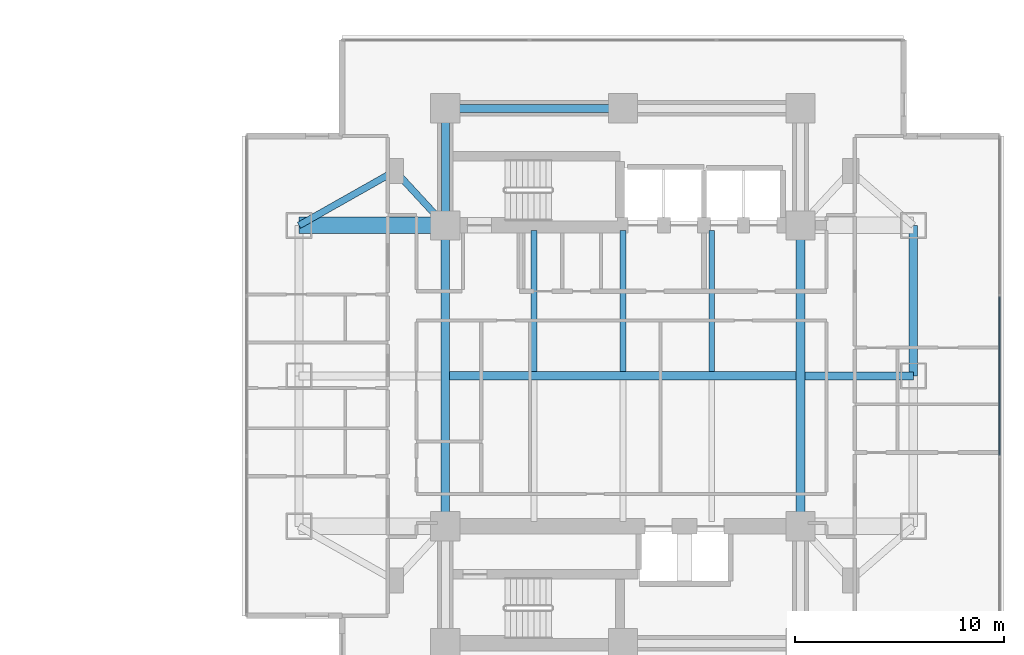
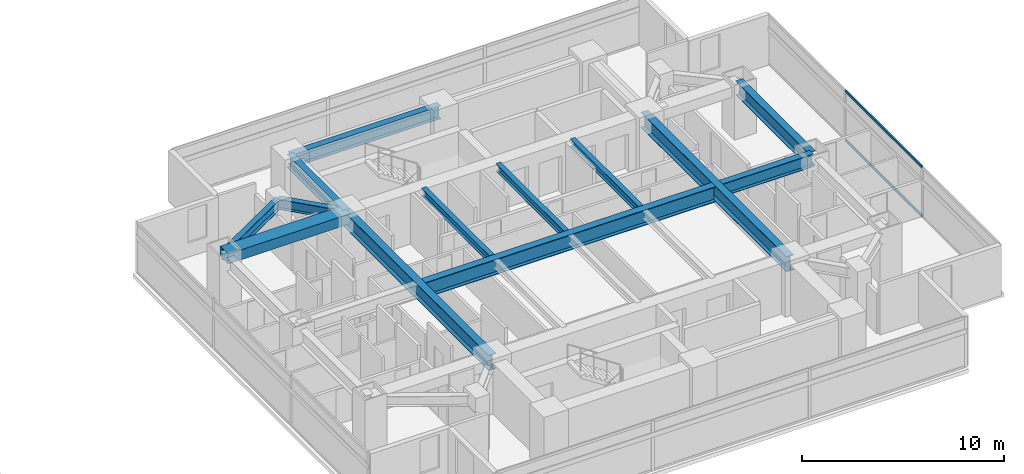
# One storey, part 9 of 26: 13 beams, 2 members, 1 element without a shape of its own.
"""IFC4 building model written with IfcOpenShell, lengths in metres."""

from ifc_helpers import new_model, si_unit, direction, frame, origin, origin_2d, place, context, subcontext, project, spatial, rectangle, i_section, extrude, material, material_profile, profile_set, type_object, element, aggregate, save


model = new_model("IFC4")

# Units and contexts
model_context = context("Model", 3, precision=1e-05, world=origin(), true_north=direction((0.0, 1.0)))
body_context = subcontext(model_context, "Body", "Model", "MODEL_VIEW")
ifc_project = project(units=[si_unit("LENGTHUNIT", "METRE"), si_unit("AREAUNIT", "SQUARE_METRE"), si_unit("VOLUMEUNIT", "CUBIC_METRE"), si_unit("PLANEANGLEUNIT", "RADIAN"), si_unit("MASSUNIT", "GRAM", prefix="KILO")], contexts=[model_context])

# Site, building, storey
site_placement = place(None, origin())
site = spatial("IfcSite", under=ifc_project, at=site_placement, CompositionType="ELEMENT")
building_placement = place(site_placement, origin())
building = spatial("IfcBuilding", under=site, at=building_placement, Name="Mirazonda Arch Towers", CompositionType="ELEMENT")
storey_placement = place(building_placement, frame((0.0, 0.0, 25.699951171875)))
storey = spatial("IfcBuildingStorey", under=building, at=storey_placement, Name="L06", CompositionType="ELEMENT", Elevation=25.699951171875)

# Beams
ifc_material_1 = material(Name="Steel ASTM A992 Grade 50", Category="steel")
ifc_material_profile_1 = material_profile(ifc_material_1, i_section(OverallWidth=0.39990234375, OverallDepth=0.85595703125, WebThickness=0.018310546875, FlangeThickness=0.029296875, at=origin_2d()), Name="W33X201")
ifc_profile_set_1 = profile_set([ifc_material_profile_1], Name="Steel ASTM A992 Grade 50")
beam_type_1 = type_object("IfcBeamType", Name="BM-EXT-W33X201", PredefinedType="USERDEFINED", material=ifc_profile_set_1)
beam_1_placement = place(storey_placement, frame((90.39990234375, 28.0, 2.632080078125), z_axis=(0.0, 1.0, 0.0), x_axis=(-1.0, 0.0, 0.0)))
element("IfcBeam", 1, at=beam_1_placement, inside=storey, type_object=beam_type_1, Name="L06 Floor Beam BM-T2-L06-NS-E-28", ObjectType="GIRDER", PredefinedType="USERDEFINED", context=body_context, shape_type="SweptSolid", body=[
    extrude(i_section(OverallWidth=0.39990234375, OverallDepth=0.85595703125, WebThickness=0.018310546875, FlangeThickness=0.029296875, at=origin_2d()), origin(), (0.0, 0.0, 1.0), 7.199951171875),
])
ifc_material_profile_2 = material_profile(ifc_material_1, i_section(OverallWidth=0.280029296875, OverallDepth=0.462890625, WebThickness=0.0107421875, FlangeThickness=0.017333984375, at=origin_2d()), Name="W18X76")
ifc_profile_set_2 = profile_set([ifc_material_profile_2], Name="Steel ASTM A992 Grade 50")
beam_type_2 = type_object("IfcBeamType", Name="BM-INT-W18X76", PredefinedType="JOIST", material=ifc_profile_set_2)
for number, where, z_axis, x_axis, name in (
    (2, (72.25, 28.205078125, 2.82861328125), (0.0, 1.0, 0.0), (-1.0, 0.0, 0.0), "L06 Floor Beam BM-T2-L06-J-722-28"),
    (3, (76.5, 28.205078125, 2.82861328125), (0.0, 1.0, 0.0), (-1.0, 0.0, 0.0), "L06 Floor Beam BM-T2-L06-J-765-28"),
    (4, (80.75, 28.205078125, 2.82861328125), (0.0, 1.0, 0.0), (-1.0, 0.0, 0.0), "L06 Floor Beam BM-T2-L06-J-807-28"),
):
    element("IfcBeam", number, at=place(storey_placement, frame(where, z_axis=z_axis, x_axis=x_axis)), inside=storey, type_object=beam_type_2, Name=name, PredefinedType="JOIST", context=body_context, shape_type="SweptSolid", body=[
        extrude(i_section(OverallWidth=0.280029296875, OverallDepth=0.462890625, WebThickness=0.0107421875, FlangeThickness=0.017333984375, at=origin_2d()), origin(), (0.0, 0.0, 1.0), 6.7548828125),
    ])
ifc_material_profile_3 = material_profile(ifc_material_1, i_section(OverallWidth=0.324951171875, OverallDepth=0.615966796875, WebThickness=0.013916015625, FlangeThickness=0.021484375, at=origin_2d()), Name="W24X117")
ifc_profile_set_3 = profile_set([ifc_material_profile_3], Name="Steel ASTM A992 Grade 50")
beam_type_3 = type_object("IfcBeamType", Name="BM-INT-W24X117", PredefinedType="BEAM", material=ifc_profile_set_3)
beam_2_placement = place(storey_placement, frame((65.60009765625, 37.800048828125, 2.751953125), z_axis=(0.678251444854, -0.734829897019, 0.0), x_axis=(0.734829897019, 0.678251444854, 0.0)))
element("IfcBeam", 5, at=beam_2_placement, inside=storey, type_object=beam_type_3, Name="L06 Floor Beam BM-T2-L06-PL-NW1", PredefinedType="BEAM", context=body_context, shape_type="SweptSolid", body=[
    extrude(i_section(OverallWidth=0.324951171875, OverallDepth=0.615966796875, WebThickness=0.013916015625, FlangeThickness=0.021484375, at=origin_2d()), origin(), (0.0, 0.0, 1.0), 3.538330078125),
])
beam_3_placement = place(storey_placement, frame((65.60009765625, 37.800048828125, 2.751953125), z_axis=(-0.870559396632, -0.492063346467, 0.0), x_axis=(0.492063346467, -0.870559396632, 0.0)))
element("IfcBeam", 6, at=beam_3_placement, inside=storey, type_object=beam_type_3, Name="L06 Floor Beam BM-T2-L06-PL-NW2", PredefinedType="BEAM", context=body_context, shape_type="SweptSolid", body=[
    extrude(i_section(OverallWidth=0.324951171875, OverallDepth=0.615966796875, WebThickness=0.013916015625, FlangeThickness=0.021484375, at=origin_2d()), origin(), (0.0, 0.0, 1.0), 5.2841796875),
])
ifc_material_profile_4 = material_profile(ifc_material_1, i_section(OverallWidth=0.381103515625, OverallDepth=0.77294921875, WebThickness=0.0166015625, FlangeThickness=0.027099609375, at=origin_2d()), Name="W30X173")
ifc_profile_set_4 = profile_set([ifc_material_profile_4], Name="Steel ASTM A992 Grade 50")
beam_type_4 = type_object("IfcBeamType", Name="BM-INT-W30X173", PredefinedType="USERDEFINED", material=ifc_profile_set_4)
beam_4_placement = place(storey_placement, frame((68.0, 40.800048828125, 2.673583984375), z_axis=(1.0, 0.0, 0.0), x_axis=(0.0, 1.0, 0.0)))
element("IfcBeam", 7, at=beam_4_placement, inside=storey, type_object=beam_type_4, Name="L06 Floor Beam BM-T2-L06-CN1", ObjectType="GIRDER", PredefinedType="USERDEFINED", context=body_context, shape_type="SweptSolid", body=[
    extrude(i_section(OverallWidth=0.381103515625, OverallDepth=0.77294921875, WebThickness=0.0166015625, FlangeThickness=0.027099609375, at=origin_2d()), origin(), (0.0, 0.0, 1.0), 8.5),
])
beam_5_placement = place(storey_placement, frame((68.0, 35.199951171875, 2.673583984375), z_axis=(0.0, 1.0, 0.0), x_axis=(-1.0, 0.0, 0.0)))
element("IfcBeam", 8, at=beam_5_placement, inside=storey, type_object=beam_type_4, Name="L06 Floor Beam BM-T2-L06-CNW", ObjectType="GIRDER", PredefinedType="USERDEFINED", context=body_context, shape_type="SweptSolid", body=[
    extrude(i_section(OverallWidth=0.381103515625, OverallDepth=0.77294921875, WebThickness=0.0166015625, FlangeThickness=0.027099609375, at=origin_2d()), origin(), (0.0, 0.0, 1.0), 5.60009765625),
])
beam_6_placement = place(storey_placement, frame((85.208984375, 28.0, 2.673583984375), z_axis=(1.0, 0.0, 0.0), x_axis=(0.0, 1.0, 0.0)))
element("IfcBeam", 9, at=beam_6_placement, inside=storey, type_object=beam_type_4, Name="L06 Floor Beam BM-T2-L06-GE2", ObjectType="GIRDER", PredefinedType="USERDEFINED", context=body_context, shape_type="SweptSolid", body=[
    extrude(i_section(OverallWidth=0.381103515625, OverallDepth=0.77294921875, WebThickness=0.0166015625, FlangeThickness=0.027099609375, at=origin_2d()), origin(), (0.0, 0.0, 1.0), 5.19091796875),
])
ifc_material_profile_5 = material_profile(ifc_material_1, i_section(OverallWidth=0.41796875, OverallDepth=0.927001953125, WebThickness=0.019287109375, FlangeThickness=0.031982421875, at=origin_2d()), Name="W36X231")
ifc_profile_set_5 = profile_set([ifc_material_profile_5], Name="Steel ASTM A992 Grade 50")
beam_type_5 = type_object("IfcBeamType", Name="BM-INT-W36X231", PredefinedType="USERDEFINED", material=ifc_profile_set_5)
beam_7_placement = place(storey_placement, frame((68.208984375, 28.0, 2.596435546875), z_axis=(1.0, 0.0, 0.0), x_axis=(0.0, 1.0, 0.0)))
element("IfcBeam", 10, at=beam_7_placement, inside=storey, type_object=beam_type_5, Name="L06 Floor Beam BM-T2-L06-GC2", ObjectType="GIRDER", PredefinedType="USERDEFINED", context=body_context, shape_type="SweptSolid", body=[
    extrude(i_section(OverallWidth=0.41796875, OverallDepth=0.927001953125, WebThickness=0.019287109375, FlangeThickness=0.031982421875, at=origin_2d()), origin(), (0.0, 0.0, 1.0), 16.58203125),
])
for number, where, z_axis, x_axis, name in (
    (11, (68.0, 20.800048828125, 2.596435546875), (0.0, 1.0, 0.0), (-1.0, 0.0, 0.0), "L06 Floor Beam BM-T2-L06-NS-CW-FULL"),
    (12, (85.0, 20.800048828125, 2.596435546875), (0.0, 1.0, 0.0), (-1.0, 0.0, 0.0), "L06 Floor Beam BM-T2-L06-NS-CE-FULL"),
):
    element("IfcBeam", number, at=place(storey_placement, frame(where, z_axis=z_axis, x_axis=x_axis)), inside=storey, type_object=beam_type_5, Name=name, ObjectType="GIRDER", PredefinedType="USERDEFINED", context=body_context, shape_type="SweptSolid", body=[
        extrude(i_section(OverallWidth=0.41796875, OverallDepth=0.927001953125, WebThickness=0.019287109375, FlangeThickness=0.031982421875, at=origin_2d()), origin(), (0.0, 0.0, 1.0), 14.39990234375),
    ])
ifc_material_2 = material(Name="Concrete C60/75", Category="concrete")
ifc_material_profile_6 = material_profile(ifc_material_2, rectangle(XDim=0.800048828125, YDim=0.60009765625, at=origin_2d()), Name="RCCB800x600")
ifc_profile_set_6 = profile_set([ifc_material_profile_6], Name="Concrete C60/75")
beam_type_6 = type_object("IfcBeamType", Name="CB-INT-RCCB800x600", PredefinedType="SPANDREL", material=ifc_profile_set_6)
beam_8_placement = place(storey_placement, frame((61.0, 35.199951171875, 2.760009765625), z_axis=(1.0, 0.0, 0.0), x_axis=(0.0, 1.0, 0.0)))
element("IfcBeam", 13, at=beam_8_placement, inside=storey, type_object=beam_type_6, Name="L06 Floor Beam CBC-T2-L06-NW", PredefinedType="SPANDREL", context=body_context, shape_type="SweptSolid", body=[
    extrude(rectangle(XDim=0.800048828125, YDim=0.60009765625, at=origin_2d()), origin(), (0.0, 0.0, 1.0), 7.0),
])

# Curtain wall, members
ifc_material_3 = material(Name="Anodised Aluminium and Low-E Glass", Category="aluminium")
curtain_wall_type = type_object("IfcCurtainWallType", Name="CW-HTL-UNIT", PredefinedType="NOTDEFINED", material=ifc_material_3)
curtain_wall_placement = place(storey_placement, origin())
curtain_wall = element("IfcCurtainWall", 14, at=curtain_wall_placement, inside=storey, type_object=curtain_wall_type, Name="L06 T2 E Facade CW-L06-T2-E", PredefinedType="NOTDEFINED")
ifc_material_4 = material(Name="Anodised Aluminium Alloy", Category="aluminium")
ifc_material_profile_7 = material_profile(ifc_material_4, rectangle(XDim=0.074951171875, YDim=0.14501953125, at=origin_2d()), Name="ALU-TRAN-75x145")
ifc_profile_set_7 = profile_set([ifc_material_profile_7], Name="Anodised Aluminium Alloy")
member_type = type_object("IfcMemberType", Name="TRAN-CW-HTL-UNIT", PredefinedType="USERDEFINED", material=ifc_profile_set_7)
member_1_placement = place(storey_placement, frame((94.51806640625, 24.209716796875, 0.03759765625), z_axis=(0.0, 1.0, 0.0), x_axis=(-1.0, 0.0, 0.0)))
member_1 = element("IfcMember", 15, at=member_1_placement, type_object=member_type, Name="CW-112 transom 2.1", ObjectType="TRANSOM", PredefinedType="USERDEFINED", context=body_context, shape_type="SweptSolid", body=[
    extrude(rectangle(XDim=0.074951171875, YDim=0.14501953125, at=origin_2d()), origin(), (0.0, 0.0, 1.0), 7.58056640625),
])
member_2_placement = place(storey_placement, frame((94.51806640625, 24.209716796875, 3.00244140625), z_axis=(0.0, 1.0, 0.0), x_axis=(-1.0, 0.0, 0.0)))
member_2 = element("IfcMember", 16, at=member_2_placement, type_object=member_type, Name="CW-112 transom 2.2", ObjectType="TRANSOM", PredefinedType="USERDEFINED", context=body_context, shape_type="SweptSolid", body=[
    extrude(rectangle(XDim=0.074951171875, YDim=0.14501953125, at=origin_2d()), origin(), (0.0, 0.0, 1.0), 7.58056640625),
])
aggregate(curtain_wall, [member_1, member_2])

save(model, "model.ifc")
